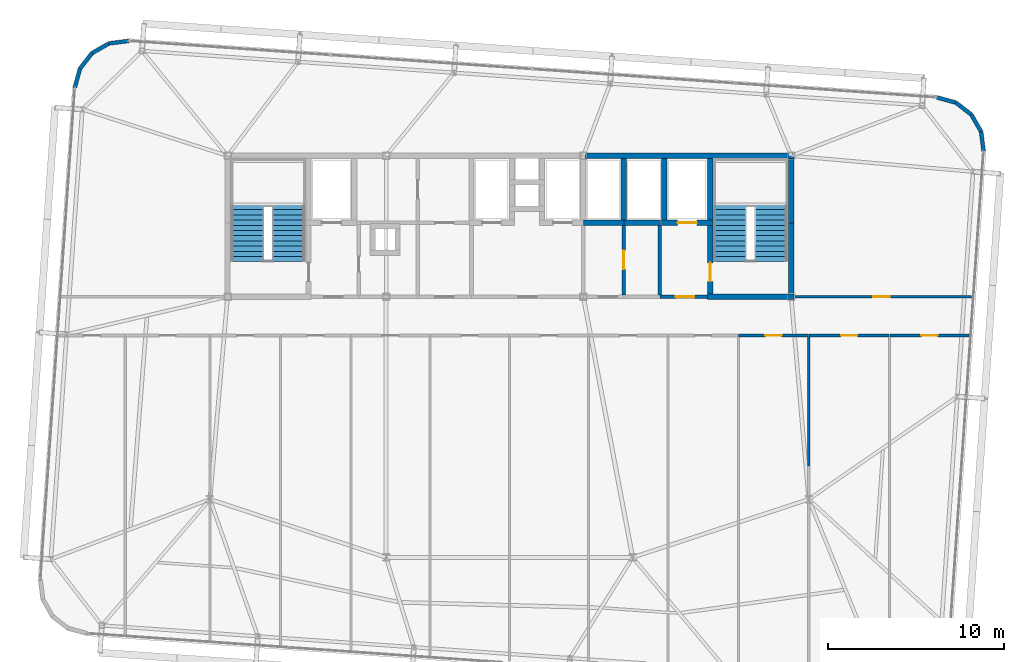
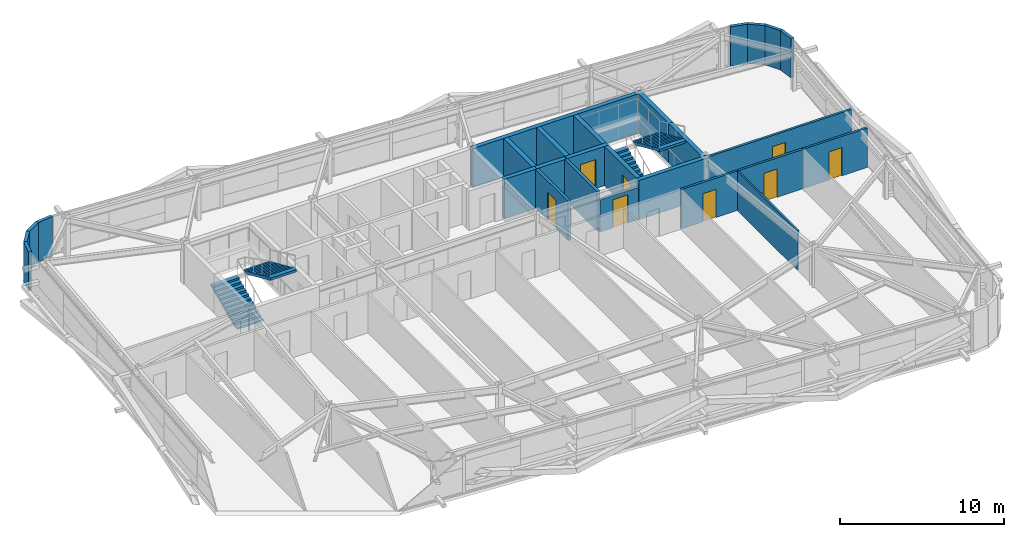
# One storey, part 37 of 39: 27 walls, 8 doors, 4 stair flights, 8 openings, 2 elements without a shape of their own.
"""IFC4 building model written with IfcOpenShell, lengths in metres."""

import ifcopenshell
import ifcopenshell.guid

model = None  # the IFC model being written
_history = None  # IfcOwnerHistory: only IFC2X3 demands one
_inside = {}  # id of a spatial element -> (the spatial element, [elements in it])
_under = {}  # id of a project, library or spatial element -> (it, [spatial elements below it])
_declared = {}  # id of a project -> (the project, [libraries it declares])
_typed = {}  # id of a type object -> (the type object, [elements of that type])
_made_of = {}  # id of a material, layer set ... -> (it, [elements and type objects made of it])


def new_model(schema):
    """Start an empty IFC model of exactly this schema.

    Asked for "IFC4X3", IfcOpenShell would pick the latest addendum, in which some entities
    have other attributes; the version numbers below select the first issue.
    IFC2X3 requires an IfcOwnerHistory on every rooted entity: one is made here for all.
    """
    global model, _history
    if schema == "IFC4X3":
        model = ifcopenshell.file(schema_version=(4, 3, 0, 0))
    else:
        model = ifcopenshell.file(schema=schema)
    _inside.clear()
    _under.clear()
    _declared.clear()
    _typed.clear()
    _made_of.clear()
    _history = None
    if model.schema == "IFC2X3":
        org = make("IfcOrganization", Name="unknown")
        user = make(
            "IfcPersonAndOrganization",
            ThePerson=make("IfcPerson", FamilyName="unknown"),
            TheOrganization=org,
        )
        app = make(
            "IfcApplication",
            ApplicationDeveloper=org,
            Version="unknown",
            ApplicationFullName="unknown",
            ApplicationIdentifier="unknown",
        )
        _history = make(
            "IfcOwnerHistory",
            OwningUser=user,
            OwningApplication=app,
            ChangeAction="ADDED",
            CreationDate=0,
        )
    return model


def make(cls, **values):
    """One entity of the class cls with the attributes given. An attribute that is None is left unset."""
    return model.create_entity(
        cls, **{name: value for name, value in values.items() if value is not None}
    )


def rooted(cls, **values):
    """An entity with a GlobalId (a new one), such as an element, a storey or a relation."""
    return make(cls, GlobalId=ifcopenshell.guid.new(), OwnerHistory=_history, **values)


def si_unit(unit_type, name, prefix=None):
    """IfcSIUnit, for example si_unit("LENGTHUNIT", "METRE", prefix="MILLI")."""
    return make("IfcSIUnit", UnitType=unit_type, Prefix=prefix, Name=name)


def assignment(units):
    """IfcUnitAssignment: the units of a project."""
    return None if units is None else make("IfcUnitAssignment", Units=units)


def point(xyz):
    """IfcCartesianPoint."""
    return None if xyz is None else make("IfcCartesianPoint", Coordinates=xyz)


def direction(xyz):
    """IfcDirection."""
    return None if xyz is None else make("IfcDirection", DirectionRatios=xyz)


def frame(location, z_axis=None, x_axis=None):
    """IfcAxis2Placement3D, a coordinate frame: its origin and axes. An axis left out is left unset."""
    return make(
        "IfcAxis2Placement3D",
        Location=point(location),
        Axis=direction(z_axis),
        RefDirection=direction(x_axis),
    )


def frame_2d(location, x_axis=None):
    """IfcAxis2Placement2D, a coordinate frame in the plane: its origin and x axis."""
    return make(
        "IfcAxis2Placement2D", Location=point(location), RefDirection=direction(x_axis)
    )


def origin():
    """The frame at (0, 0, 0) with its axes left unset."""
    return frame((0.0, 0.0, 0.0))


def place(relative_to, where):
    """IfcLocalPlacement: puts the frame where relative to a parent placement (None: the world)."""
    return make(
        "IfcLocalPlacement", PlacementRelTo=relative_to, RelativePlacement=where
    )


def context(
    kind, dimensions, precision=None, world=None, true_north=None, identifier=None
):
    """IfcGeometricRepresentationContext, for example the 3D "Model" context."""
    return make(
        "IfcGeometricRepresentationContext",
        ContextIdentifier=identifier,
        ContextType=kind,
        CoordinateSpaceDimension=dimensions,
        Precision=precision,
        WorldCoordinateSystem=world,
        TrueNorth=true_north,
    )


def subcontext(parent, identifier, kind, view, scale=None):
    """IfcGeometricRepresentationSubContext, for example "Body" below "Model"."""
    return make(
        "IfcGeometricRepresentationSubContext",
        ContextIdentifier=identifier,
        ContextType=kind,
        ParentContext=parent,
        TargetScale=scale,
        TargetView=view,
    )


def project(units=None, contexts=None):
    """IfcProject with its units and contexts."""
    return rooted(
        "IfcProject",
        Name="project",
        RepresentationContexts=contexts,
        UnitsInContext=assignment(units),
    )


def spatial(cls, under=None, at=None, **own):
    """A site, building, storey or space (cls), placed at a placement, below another one or the project."""
    s = rooted(cls, ObjectPlacement=at, **own)
    if under is not None:
        _under.setdefault(under.id(), (under, []))[1].append(s)
    return s


def polyline(points):
    """IfcPolyline through the points."""
    return make("IfcPolyline", Points=[point(p) for p in points])


def profile(cls, at=None, kind="AREA", **sizes):
    """A parametric profile (cls). Its sizes go by their IFC names, for example OverallWidth=200.0."""
    return make(cls, ProfileType=kind, Position=at, **sizes)


def rectangle(**sizes):
    """IfcRectangleProfileDef."""
    return profile("IfcRectangleProfileDef", **sizes)


def outline(outer, holes=None, kind="AREA"):
    """IfcArbitraryClosedProfileDef: a profile drawn as a closed curve; with holes, ...WithVoids."""
    if holes is None:
        return make("IfcArbitraryClosedProfileDef", ProfileType=kind, OuterCurve=outer)
    return make(
        "IfcArbitraryProfileDefWithVoids",
        ProfileType=kind,
        OuterCurve=outer,
        InnerCurves=holes,
    )


def extrude(swept, where, along, depth):
    """IfcExtrudedAreaSolid: the profile swept, set in the frame where, extruded along a direction by depth."""
    return make(
        "IfcExtrudedAreaSolid",
        SweptArea=swept,
        Position=where,
        ExtrudedDirection=direction(along),
        Depth=depth,
    )


def shape(context_of_items, identifier, shape_type, items):
    """IfcShapeRepresentation: the items that make up one representation, for example the "Body"."""
    return make(
        "IfcShapeRepresentation",
        ContextOfItems=context_of_items,
        RepresentationIdentifier=identifier,
        RepresentationType=shape_type,
        Items=items,
    )


def source(mapping_origin, context_of_items, identifier, shape_type, items):
    """IfcRepresentationMap: a shape defined once, which mapped items show again and again."""
    return make(
        "IfcRepresentationMap",
        MappingOrigin=mapping_origin,
        MappedRepresentation=shape(context_of_items, identifier, shape_type, items),
    )


def transform(
    local_origin,
    x_axis=None,
    y_axis=None,
    z_axis=None,
    scale=None,
    scale2=None,
    scale3=None,
    uniform=True,
):
    """IfcCartesianTransformationOperator3D, or its non-uniform kind. x_axis, y_axis, z_axis: its Axis1, 2, 3."""
    if uniform:
        return make(
            "IfcCartesianTransformationOperator3D",
            Axis1=direction(x_axis),
            Axis2=direction(y_axis),
            LocalOrigin=point(local_origin),
            Scale=scale,
            Axis3=direction(z_axis),
        )
    return make(
        "IfcCartesianTransformationOperator3DnonUniform",
        Axis1=direction(x_axis),
        Axis2=direction(y_axis),
        LocalOrigin=point(local_origin),
        Scale=scale,
        Axis3=direction(z_axis),
        Scale2=scale2,
        Scale3=scale3,
    )


def mapped(mapping_source, mapping_target):
    """IfcMappedItem: shows the shape of a source again, moved by a transform."""
    return make(
        "IfcMappedItem", MappingSource=mapping_source, MappingTarget=mapping_target
    )


def material(Name=None, Category=None):
    """IfcMaterial."""
    return make("IfcMaterial", Name=Name, Category=Category)


def layer(
    of_material, thickness, ventilated=None, Name=None, Category=None, Priority=None
):
    """IfcMaterialLayer: one layer of a wall or slab, of a material (None: an air gap)."""
    return make(
        "IfcMaterialLayer",
        Material=of_material,
        LayerThickness=thickness,
        IsVentilated=ventilated,
        Name=Name,
        Category=Category,
        Priority=Priority,
    )


def layer_set(layers, Name=None):
    """IfcMaterialLayerSet."""
    return make("IfcMaterialLayerSet", MaterialLayers=layers, LayerSetName=Name)


def made_of(thing, what):
    """Note that an element or type object is made of a material, layer set ...; save() writes the relation."""
    if what is not None:
        _made_of.setdefault(what.id(), (what, []))[1].append(thing)
    return thing


def type_object(cls, material=None, **own):
    """A type object (cls), such as IfcWallType, which elements share."""
    return made_of(rooted(cls, **own), material)


def element(
    cls,
    number,
    at=None,
    inside=None,
    cuts=None,
    type_object=None,
    material=None,
    context=None,
    identifier="Body",
    shape_type=None,
    held_by="IfcProductDefinitionShape",
    body=None,
    shapes=None,
    **own,
):
    """One element of the class cls, such as IfcWall. Its Tag is "e" and its number.

    at: its placement. inside: the storey or other place that contains it. cuts: it is an
    opening in that element (IfcRelVoidsElement). A single representation is given by context,
    identifier, shape_type and body (its items); several are given by shapes. held_by: the class
    of the entity that holds the representations. save() writes the other relations.
    """
    e = rooted(cls, Tag="e%d" % number, ObjectPlacement=at, **own)
    if body is not None:
        shapes = [shape(context, identifier, shape_type, body)]
    if shapes is not None:
        e.Representation = make(held_by, Representations=shapes)
    if inside is not None:
        _inside.setdefault(inside.id(), (inside, []))[1].append(e)
    if cuts is not None:
        rooted(
            "IfcRelVoidsElement", RelatingBuildingElement=cuts, RelatedOpeningElement=e
        )
    if type_object is not None:
        _typed.setdefault(type_object.id(), (type_object, []))[1].append(e)
    return made_of(e, material)


def fill(opening, filler):
    """IfcRelFillsElement: the door or window that sits in an opening."""
    return rooted(
        "IfcRelFillsElement",
        RelatingOpeningElement=opening,
        RelatedBuildingElement=filler,
    )


def aggregate(whole, parts):
    """IfcRelAggregates: a whole, such as a stair, and the parts it consists of."""
    return rooted("IfcRelAggregates", RelatingObject=whole, RelatedObjects=parts)


def save(model, path):
    """Write the relations noted so far, then the file.

    IfcRelAggregates (storeys below a building ...), IfcRelContainedInSpatialStructure (elements
    in a storey), IfcRelDefinesByType, IfcRelAssociatesMaterial and IfcRelDeclares: one each for
    every whole, place, type object, material and project.
    """
    for whole, parts in _under.values():
        aggregate(whole, parts)
    for where, things in _inside.values():
        rooted(
            "IfcRelContainedInSpatialStructure",
            RelatedElements=things,
            RelatingStructure=where,
        )
    for kind, things in _typed.values():
        rooted("IfcRelDefinesByType", RelatedObjects=things, RelatingType=kind)
    for what, things in _made_of.values():
        rooted("IfcRelAssociatesMaterial", RelatedObjects=things, RelatingMaterial=what)
    for by, libraries in _declared.values():
        rooted("IfcRelDeclares", RelatingContext=by, RelatedDefinitions=libraries)
    model.write(path)


model = new_model("IFC4")

# Units and contexts
model_context = context("Model", 3, precision=1e-05, world=origin(), true_north=direction((0.0, 1.0)))
body_context = subcontext(model_context, "Body", "Model", "MODEL_VIEW")
ifc_project = project(units=[si_unit("LENGTHUNIT", "METRE"), si_unit("AREAUNIT", "SQUARE_METRE"), si_unit("VOLUMEUNIT", "CUBIC_METRE"), si_unit("PLANEANGLEUNIT", "RADIAN"), si_unit("MASSUNIT", "GRAM", prefix="KILO")], contexts=[model_context])

# Site, building, storey
site_placement = place(None, origin())
site = spatial("IfcSite", under=ifc_project, at=site_placement, CompositionType="ELEMENT")
building_placement = place(site_placement, origin())
building = spatial("IfcBuilding", under=site, at=building_placement, Name="Taldren Reach Tower", CompositionType="ELEMENT")
storey_placement = place(building_placement, frame((0.0, 0.0, 158.199951171875)))
storey = spatial("IfcBuildingStorey", under=building, at=storey_placement, Name="L48", CompositionType="ELEMENT", Elevation=158.199951171875)

# Walls
ifc_material_1 = material(Name="Pale Champagne Anodised Aluminium Cladding", Category="aluminium")
ifc_layer_1 = layer(ifc_material_1, 0.04, Name="Pale Champagne Anodised Aluminium Cladding", Category="aluminium")
ifc_material_2 = material(Name="Mineral Wool Acoustic Insulation", Category="insulation")
ifc_layer_2 = layer(ifc_material_2, 0.06, Name="Mineral Wool Acoustic Insulation", Category="insulation")
ifc_material_3 = material(Name="Steel Gr 350 (C350L0)", Category="steel")
ifc_layer_3 = layer(ifc_material_3, 0.12, Name="Steel Gr 350 (C350L0)", Category="steel")
ifc_layer_set_1 = layer_set([ifc_layer_1, ifc_layer_2, ifc_layer_3], Name="Pale Champagne Aluminium Cladding and Steel Gr 350 Stud Framing")
wall_type_1 = type_object("IfcWallType", Name="EW-CRN-220", PredefinedType="SOLIDWALL", material=ifc_layer_set_1)
shared_shape_1 = source(origin(), body_context, "Body", "SweptSolid", [
    extrude(rectangle(XDim=1.115966796875, YDim=0.219970703125, at=frame_2d((0.55810546875, 0.0))), origin(), (0.0, 0.0, 1.0), 2.929931640625),
])
for number, where, z_axis, x_axis, name in (
    (1, (61.923583984375, 32.261962890625, 0.0), (0.0, 0.0, 1.0), (-0.126242535829, 0.991999406324, 0.0), "Rounded-corner pale-metal facade wall L48-NE1"),
    (2, (61.78271484375, 33.368896484375, 0.0), (0.0, 0.0, 1.0), (-0.496138938357, 0.868243142124, 0.0), "Rounded-corner pale-metal facade wall L48-NE2"),
    (3, (61.22900390625, 34.337890625, 0.0), (0.0, 0.0, 1.0), (-0.790716874741, 0.612182018684, 0.0), "Rounded-corner pale-metal facade wall L48-NE3"),
    (4, (60.3466796875, 35.02099609375, 0.0), (0.0, 0.0, 1.0), (-0.964804199372, 0.262969307856, 0.0), "Rounded-corner pale-metal facade wall L48-NE4"),
    (5, (13.382080078125, 38.5234375, 0.0), (0.0, 0.0, 1.0), (-0.991999406324, -0.126242535829, 0.0), "Rounded-corner pale-metal facade wall L48-NW1"),
    (6, (11.306396484375, 37.828857421875, 0.0), (0.0, 0.0, 1.0), (-0.612318787668, -0.790610967714, 0.0), "Rounded-corner pale-metal facade wall L48-NW3"),
    (7, (10.623046875, 36.946533203125, 0.0), (0.0, 0.0, 1.0), (-0.262969307856, -0.964804199372, 0.0), "Rounded-corner pale-metal facade wall L48-NW4"),
):
    element("IfcWall", number, at=place(storey_placement, frame(where, z_axis=z_axis, x_axis=x_axis)), inside=storey, type_object=wall_type_1, Name=name, PredefinedType="SOLIDWALL", context=body_context, shape_type="MappedRepresentation", body=[
        mapped(shared_shape_1, transform((0.0, 0.0, 0.0), scale=1.0)),
    ])
shared_shape_2 = source(origin(), body_context, "Body", "SweptSolid", [
    extrude(rectangle(XDim=1.11572265625, YDim=0.219970703125, at=frame_2d((0.557861328125, 0.0))), origin(), (0.0, 0.0, 1.0), 2.929931640625),
])
wall_1_placement = place(storey_placement, frame((12.275146484375, 38.382568359375, 0.0), z_axis=(0.0, 0.0, 1.0), x_axis=(-0.868189279113, -0.496233186751, 0.0)))
element("IfcWall", 8, at=wall_1_placement, inside=storey, type_object=wall_type_1, Name="Rounded-corner pale-metal facade wall L48-NW2", PredefinedType="SOLIDWALL", context=body_context, shape_type="MappedRepresentation", body=[
    mapped(shared_shape_2, transform((0.0, 0.0, 0.0), scale=1.0)),
])

# Wall, opening, door
ifc_material_4 = material(Name="Fire-Rated Acoustic Plasterboard Stud Wall", Category="gypsum")
ifc_layer_4 = layer(ifc_material_4, 0.159912109375)
ifc_layer_set_2 = layer_set([ifc_layer_4], Name="Fire-Rated Acoustic Plasterboard Stud Wall")
wall_type_2 = type_object("IfcWallType", Name="IW-FIRE-160", PredefinedType="PARTITIONING", material=ifc_layer_set_2)
shared_shape_3 = source(origin(), body_context, "Body", "SweptSolid", [
    extrude(rectangle(XDim=3.95947265625, YDim=0.159912109375, at=frame_2d((1.979736328125, 0.0))), origin(), (0.0, 0.0, 1.0), 2.929931640625),
])
wall_2_placement = place(storey_placement, frame((51.979736328125, 21.800048828125, 0.0), z_axis=(0.0, 0.0, 1.0), x_axis=(-1.0, 0.0, 0.0)))
wall_2 = element("IfcWall", 9, at=wall_2_placement, inside=storey, type_object=wall_type_2, Name="Interior Partition Wall W-INT-L48-055", PredefinedType="PARTITIONING", context=body_context, shape_type="MappedRepresentation", body=[
    mapped(shared_shape_3, transform((0.0, 0.0, 0.0), scale=1.0)),
])
shared_shape_4 = source(origin(), body_context, "Body", "SweptSolid", [
    extrude(rectangle(XDim=0.919921875, YDim=2.10009765625, at=frame_2d((0.4599609375, 1.050048828125))), frame((0.0, 0.08984375, 0.0), z_axis=(0.0, -1.0, 0.0), x_axis=(1.0, 0.0, 0.0)), (0.0, 0.0, 1.0), 0.179931640625),
])
opening_1_placement = place(wall_2_placement, frame((1.519775390625, 0.0, 0.0)))
opening_1 = element("IfcOpeningElement", 10, at=opening_1_placement, cuts=wall_2, Name="Opening DI-092", PredefinedType="OPENING", context=body_context, shape_type="MappedRepresentation", body=[
    mapped(shared_shape_4, transform((0.0, 0.0, 0.0), scale=1.0)),
])
ifc_material_5 = material(Name="Solid-Core Timber Suite Door", Category="wood")
door_type_1 = type_object("IfcDoorType", Name="ID-INT-092", OperationType="NOTDEFINED", PredefinedType="DOOR", material=ifc_material_5)
shared_shape_5 = source(origin(), body_context, "Body", "SweptSolid", [
    extrude(rectangle(XDim=0.919921875, YDim=2.10009765625, at=frame_2d((0.4599609375, 1.050048828125))), frame((0.0, 0.02490234375, 0.0), z_axis=(0.0, -1.0, 0.0), x_axis=(1.0, 0.0, 0.0)), (0.0, 0.0, 1.0), 0.050048828125),
])
door_1_placement = place(opening_1_placement, origin())
door_1 = element("IfcDoor", 11, at=door_1_placement, inside=storey, type_object=door_type_1, Name="Interior Door DR-L48-020", OperationType="SINGLE_SWING_LEFT", OverallHeight=2.10009765625, OverallWidth=0.919921875, PredefinedType="DOOR", context=body_context, shape_type="MappedRepresentation", body=[
    mapped(shared_shape_5, transform((0.0, 0.0, 0.0), scale=1.0)),
])
fill(opening_1, door_1)

# Walls
ifc_material_6 = material(Name="Concrete S65 (65 MPa)", Category="concrete")
ifc_layer_5 = layer(ifc_material_6, 0.300048828125)
ifc_layer_set_3 = layer_set([ifc_layer_5], Name="Concrete S65 (65 MPa)")
wall_type_3 = type_object("IfcWallType", Name="IW-CORE-300", PredefinedType="SHEAR", material=ifc_layer_set_3)
shared_shape_6 = source(origin(), body_context, "Body", "SweptSolid", [
    extrude(rectangle(XDim=11.949951171875, YDim=0.300048828125, at=frame_2d((5.97509765625, 0.0))), origin(), (0.0, 0.0, 1.0), 2.929931640625),
])
wall_3_placement = place(storey_placement, frame((39.199951171875, 32.0, 0.0), z_axis=(0.0, 0.0, 1.0), x_axis=(1.0, 0.0, 0.0)))
element("IfcWall", 12, at=wall_3_placement, inside=storey, type_object=wall_type_3, Name="Rear Core Shear Wall W-CORE-L48-NORTH3", PredefinedType="SHEAR", context=body_context, shape_type="MappedRepresentation", body=[
    mapped(shared_shape_6, transform((0.0, 0.0, 0.0), scale=1.0)),
])
shared_shape_7 = source(origin(), body_context, "Body", "SweptSolid", [
    extrude(rectangle(XDim=4.050048828125, YDim=0.300048828125, at=frame_2d((2.02490234375, 0.0))), origin(), (0.0, 0.0, 1.0), 2.929931640625),
])
wall_4_placement = place(storey_placement, frame((51.0, 24.14990234375, 0.0), z_axis=(0.0, 0.0, 1.0), x_axis=(0.0, 1.0, 0.0)))
element("IfcWall", 13, at=wall_4_placement, inside=storey, type_object=wall_type_3, Name="Rear Core Shear Wall W-CORE-L48-EAST1", PredefinedType="SHEAR", context=body_context, shape_type="MappedRepresentation", body=[
    mapped(shared_shape_7, transform((0.0, 0.0, 0.0), scale=1.0)),
])
shared_shape_8 = source(origin(), body_context, "Body", "SweptSolid", [
    extrude(rectangle(XDim=3.650146484375, YDim=0.300048828125, at=frame_2d((1.8251953125, 0.0))), origin(), (0.0, 0.0, 1.0), 2.929931640625),
])
wall_5_placement = place(storey_placement, frame((51.0, 28.199951171875, 0.0), z_axis=(0.0, 0.0, 1.0), x_axis=(0.0, 1.0, 0.0)))
element("IfcWall", 14, at=wall_5_placement, inside=storey, type_object=wall_type_3, Name="Rear Core Shear Wall W-CORE-L48-EAST2", PredefinedType="SHEAR", context=body_context, shape_type="MappedRepresentation", body=[
    mapped(shared_shape_8, transform((0.0, 0.0, 0.0), scale=1.0)),
])
shared_shape_9 = source(origin(), body_context, "Body", "SweptSolid", [
    extrude(rectangle(XDim=3.5, YDim=0.300048828125, at=frame_2d((1.75, 0.0))), origin(), (0.0, 0.0, 1.0), 2.929931640625),
])
for number, where, z_axis, x_axis, name in (
    (15, (46.39990234375, 31.85009765625, 0.0), (0.0, 0.0, 1.0), (0.0, -1.0, 0.0), "Rear Core Shear Wall W-INT-L48-008"),
    (16, (43.800048828125, 31.85009765625, 0.0), (0.0, 0.0, 1.0), (0.0, -1.0, 0.0), "Rear Core Shear Wall W-INT-L48-012"),
    (17, (41.5, 28.35009765625, 0.0), (0.0, 0.0, 1.0), (0.0, 1.0, 0.0), "Rear Core Shear Wall W-INT-L48-034"),
):
    element("IfcWall", number, at=place(storey_placement, frame(where, z_axis=z_axis, x_axis=x_axis)), inside=storey, type_object=wall_type_3, Name=name, PredefinedType="SHEAR", context=body_context, shape_type="MappedRepresentation", body=[
        mapped(shared_shape_9, transform((0.0, 0.0, 0.0), scale=1.0)),
    ])

# Wall, opening, door
shared_shape_10 = source(origin(), body_context, "Body", "SweptSolid", [
    extrude(rectangle(XDim=3.900146484375, YDim=0.300048828125, at=frame_2d((1.9501953125, 0.0))), origin(), (0.0, 0.0, 1.0), 2.929931640625),
])
wall_6_placement = place(storey_placement, frame((46.39990234375, 28.050048828125, 0.0), z_axis=(0.0, 0.0, 1.0), x_axis=(0.0, -1.0, 0.0)))
wall_6 = element("IfcWall", 18, at=wall_6_placement, inside=storey, type_object=wall_type_3, Name="Rear Core Shear Wall W-INT-L48-009", PredefinedType="SHEAR", context=body_context, shape_type="MappedRepresentation", body=[
    mapped(shared_shape_10, transform((0.0, 0.0, 0.0), scale=1.0)),
])
shared_shape_11 = source(origin(), body_context, "Body", "SweptSolid", [
    extrude(rectangle(XDim=1.050048828125, YDim=2.10009765625, at=frame_2d((0.52490234375, 1.050048828125))), frame((0.0, 0.16015625, 0.0), z_axis=(0.0, -1.0, 0.0), x_axis=(1.0, 0.0, 0.0)), (0.0, 0.0, 1.0), 0.320068359375),
])
opening_2_placement = place(wall_6_placement, frame((2.125, 0.0, 0.0)))
opening_2 = element("IfcOpeningElement", 19, at=opening_2_placement, cuts=wall_6, Name="Opening DF-105", PredefinedType="OPENING", context=body_context, shape_type="MappedRepresentation", body=[
    mapped(shared_shape_11, transform((0.0, 0.0, 0.0), scale=1.0)),
])
ifc_material_7 = material(Name="Fire-Rated Care and Stair Exit Door")
door_type_2 = type_object("IfcDoorType", Name="ID-FIRE-105", OperationType="NOTDEFINED", PredefinedType="DOOR", material=ifc_material_7)
shared_shape_12 = source(origin(), body_context, "Body", "SweptSolid", [
    extrude(rectangle(XDim=1.050048828125, YDim=2.10009765625, at=frame_2d((0.52490234375, 1.050048828125))), frame((0.0, 0.02490234375, 0.0), z_axis=(0.0, -1.0, 0.0), x_axis=(1.0, 0.0, 0.0)), (0.0, 0.0, 1.0), 0.050048828125),
])
door_2_placement = place(opening_2_placement, origin())
door_2 = element("IfcDoor", 20, at=door_2_placement, inside=storey, type_object=door_type_2, Name="Fire Exit Stair Door DR-L48-003", OperationType="SINGLE_SWING_RIGHT", OverallHeight=2.10009765625, OverallWidth=1.050048828125, PredefinedType="DOOR", context=body_context, shape_type="MappedRepresentation", body=[
    mapped(shared_shape_12, transform((0.0, 0.0, 0.0), scale=1.0)),
])
fill(opening_2, door_2)

# Wall
shared_shape_13 = source(origin(), body_context, "Body", "SweptSolid", [
    extrude(rectangle(XDim=4.89990234375, YDim=0.300048828125, at=frame_2d((2.449951171875, 0.0))), origin(), (0.0, 0.0, 1.0), 2.929931640625),
])
wall_7_placement = place(storey_placement, frame((46.25, 24.0, 0.0), z_axis=(0.0, 0.0, 1.0), x_axis=(1.0, 0.0, 0.0)))
element("IfcWall", 21, at=wall_7_placement, inside=storey, type_object=wall_type_3, Name="Rear Core Shear Wall W-INT-L48-010", PredefinedType="SHEAR", context=body_context, shape_type="MappedRepresentation", body=[
    mapped(shared_shape_13, transform((0.0, 0.0, 0.0), scale=1.0)),
])

# Wall, opening, door
shared_shape_14 = source(origin(), body_context, "Body", "SweptSolid", [
    extrude(rectangle(XDim=2.900146484375, YDim=0.300048828125, at=frame_2d((1.4501953125, 0.0))), origin(), (0.0, 0.0, 1.0), 2.929931640625),
])
wall_8_placement = place(storey_placement, frame((43.64990234375, 28.199951171875, 0.0), z_axis=(0.0, 0.0, 1.0), x_axis=(1.0, 0.0, 0.0)))
wall_8 = element("IfcWall", 22, at=wall_8_placement, inside=storey, type_object=wall_type_3, Name="Rear Core Shear Wall W-INT-L48-011", PredefinedType="SHEAR", context=body_context, shape_type="MappedRepresentation", body=[
    mapped(shared_shape_14, transform((0.0, 0.0, 0.0), scale=1.0)),
])
shared_shape_15 = source(origin(), body_context, "Body", "SweptSolid", [
    extrude(rectangle(XDim=1.10009765625, YDim=2.14990234375, at=frame_2d((0.550048828125, 1.074951171875))), frame((0.0, 0.16015625, 0.0), z_axis=(0.0, -1.0, 0.0), x_axis=(1.0, 0.0, 0.0)), (0.0, 0.0, 1.0), 0.320068359375),
])
opening_3_placement = place(wall_8_placement, frame((0.89990234375, 0.0, 0.0)))
opening_3 = element("IfcOpeningElement", 23, at=opening_3_placement, cuts=wall_8, Name="Opening LD-FL2", PredefinedType="OPENING", context=body_context, shape_type="MappedRepresentation", body=[
    mapped(shared_shape_15, transform((0.0, 0.0, 0.0), scale=1.0)),
])
ifc_material_8 = material(Name="Stainless Steel Gr 316 Emergency Lift Landing Door", Category="steel")
door_type_3 = type_object("IfcDoorType", Name="LD-EMG-110", OperationType="SLIDING_TO_LEFT", PredefinedType="DOOR", material=ifc_material_8)
shared_shape_16 = source(origin(), body_context, "Body", "SweptSolid", [
    extrude(rectangle(XDim=1.10009765625, YDim=2.14990234375, at=frame_2d((0.550048828125, 1.074951171875))), frame((0.0, 0.02490234375, 0.0), z_axis=(0.0, -1.0, 0.0), x_axis=(1.0, 0.0, 0.0)), (0.0, 0.0, 1.0), 0.050048828125),
])
door_3_placement = place(opening_3_placement, origin())
door_3 = element("IfcDoor", 24, at=door_3_placement, inside=storey, type_object=door_type_3, Name="Lift Landing Door LD-FL2-L48", OperationType="SLIDING_TO_LEFT", OverallHeight=2.14990234375, OverallWidth=1.10009765625, PredefinedType="DOOR", context=body_context, shape_type="MappedRepresentation", body=[
    mapped(shared_shape_16, transform((0.0, 0.0, 0.0), scale=1.0)),
])
fill(opening_3, door_3)

# Wall
ifc_material_9 = material(Name="Concrete S50 (50 MPa)", Category="concrete")
ifc_layer_6 = layer(ifc_material_9, 0.199951171875)
ifc_layer_set_4 = layer_set([ifc_layer_6], Name="Concrete S50 (50 MPa)")
wall_type_4 = type_object("IfcWallType", Name="IW-CORE-200", PredefinedType="SOLIDWALL", material=ifc_layer_set_4)
shared_shape_17 = source(origin(), body_context, "Body", "SweptSolid", [
    extrude(rectangle(XDim=3.949951171875, YDim=0.199951171875, at=frame_2d((1.97509765625, 0.0))), origin(), (0.0, 0.0, 1.0), 2.929931640625),
])
wall_9_placement = place(storey_placement, frame((43.550048828125, 28.050048828125, 0.0), z_axis=(0.0, 0.0, 1.0), x_axis=(0.0, -1.0, 0.0)))
element("IfcWall", 25, at=wall_9_placement, inside=storey, type_object=wall_type_4, Name="Rear Core Shear Wall W-INT-L48-013", PredefinedType="SOLIDWALL", context=body_context, shape_type="MappedRepresentation", body=[
    mapped(shared_shape_17, transform((0.0, 0.0, 0.0), scale=1.0)),
])

# Wall, opening, door
wall_10_placement = place(storey_placement, frame((41.5, 28.050048828125, 0.0), z_axis=(0.0, 0.0, 1.0), x_axis=(0.0, -1.0, 0.0)))
wall_10 = element("IfcWall", 26, at=wall_10_placement, inside=storey, type_object=wall_type_4, Name="Rear Core Shear Wall W-INT-L48-043", PredefinedType="SOLIDWALL", context=body_context, shape_type="MappedRepresentation", body=[
    mapped(shared_shape_17, transform((0.0, 0.0, 0.0), scale=1.0)),
])
shared_shape_18 = source(origin(), body_context, "Body", "SweptSolid", [
    extrude(rectangle(XDim=1.050048828125, YDim=2.10009765625, at=frame_2d((0.52490234375, 1.050048828125))), frame((0.0, 0.10986328125, 0.0), z_axis=(0.0, -1.0, 0.0), x_axis=(1.0, 0.0, 0.0)), (0.0, 0.0, 1.0), 0.219970703125),
])
opening_4_placement = place(wall_10_placement, frame((1.425048828125, 0.0, 0.0)))
opening_4 = element("IfcOpeningElement", 27, at=opening_4_placement, cuts=wall_10, Name="Opening DF-105", PredefinedType="OPENING", context=body_context, shape_type="MappedRepresentation", body=[
    mapped(shared_shape_18, transform((0.0, 0.0, 0.0), scale=1.0)),
])
door_4_placement = place(opening_4_placement, frame((1.050048828125, 0.0, 0.0), z_axis=(0.0, 0.0, 1.0), x_axis=(-1.0, 0.0, 0.0)))
door_4 = element("IfcDoor", 28, at=door_4_placement, inside=storey, type_object=door_type_2, Name="Interior Door DR-L48-009", OperationType="SINGLE_SWING_LEFT", OverallHeight=2.10009765625, OverallWidth=1.050048828125, PredefinedType="DOOR", context=body_context, shape_type="MappedRepresentation", body=[
    mapped(shared_shape_12, transform((0.0, 0.0, 0.0), scale=1.0)),
])
fill(opening_4, door_4)

shared_shape_19 = source(origin(), body_context, "Body", "SweptSolid", [
    extrude(rectangle(XDim=2.699951171875, YDim=0.199951171875, at=frame_2d((1.35009765625, 0.0))), origin(), (0.0, 0.0, 1.0), 2.39697265625),
])
wall_11_placement = place(storey_placement, frame((43.550048828125, 24.0, 0.0), z_axis=(0.0, 0.0, 1.0), x_axis=(1.0, 0.0, 0.0)))
wall_11 = element("IfcWall", 29, at=wall_11_placement, inside=storey, type_object=wall_type_4, Name="Rear Core Shear Wall W-INT-L48-014", PredefinedType="SOLIDWALL", context=body_context, shape_type="MappedRepresentation", body=[
    mapped(shared_shape_19, transform((0.0, 0.0, 0.0), scale=1.0)),
])
opening_5_placement = place(wall_11_placement, frame((0.89990234375, 0.0, 0.0)))
opening_5 = element("IfcOpeningElement", 30, at=opening_5_placement, cuts=wall_11, Name="Opening DF-105", PredefinedType="OPENING", context=body_context, shape_type="MappedRepresentation", body=[
    mapped(shared_shape_18, transform((0.0, 0.0, 0.0), scale=1.0)),
])
door_5_placement = place(opening_5_placement, origin())
door_5 = element("IfcDoor", 31, at=door_5_placement, inside=storey, type_object=door_type_2, Name="Interior Door DR-L48-004", OperationType="SINGLE_SWING_LEFT", OverallHeight=2.10009765625, OverallWidth=1.050048828125, PredefinedType="DOOR", context=body_context, shape_type="MappedRepresentation", body=[
    mapped(shared_shape_12, transform((0.0, 0.0, 0.0), scale=1.0)),
])
fill(opening_5, door_5)

# Walls
shared_shape_20 = source(origin(), body_context, "Body", "SweptSolid", [
    extrude(rectangle(XDim=2.070068359375, YDim=0.300048828125, at=frame_2d((1.03515625, 0.0))), origin(), (0.0, 0.0, 1.0), 2.929931640625),
])
wall_12_placement = place(storey_placement, frame((41.5, 28.199951171875, 0.0), z_axis=(0.0, 0.0, 1.0), x_axis=(1.0, 0.0, 0.0)))
element("IfcWall", 32, at=wall_12_placement, inside=storey, type_object=wall_type_3, Name="Rear Core Shear Wall W-INT-L48-036", PredefinedType="SHEAR", context=body_context, shape_type="MappedRepresentation", body=[
    mapped(shared_shape_20, transform((0.0, 0.0, 0.0), scale=1.0)),
])
shared_shape_21 = source(origin(), body_context, "Body", "SweptSolid", [
    extrude(rectangle(XDim=2.300048828125, YDim=0.300048828125, at=frame_2d((1.14990234375, 0.0))), origin(), (0.0, 0.0, 1.0), 2.929931640625),
])
wall_13_placement = place(storey_placement, frame((39.199951171875, 28.199951171875, 0.0), z_axis=(0.0, 0.0, 1.0), x_axis=(1.0, 0.0, 0.0)))
element("IfcWall", 33, at=wall_13_placement, inside=storey, type_object=wall_type_3, Name="Rear Core Shear Wall W-INT-L48-035", PredefinedType="SHEAR", context=body_context, shape_type="MappedRepresentation", body=[
    mapped(shared_shape_21, transform((0.0, 0.0, 0.0), scale=1.0)),
])

# Wall, opening, door
shared_shape_22 = source(origin(), body_context, "Body", "SweptSolid", [
    extrude(rectangle(XDim=10.10009765625, YDim=0.159912109375, at=frame_2d((5.050048828125, 0.0))), origin(), (0.0, 0.0, 1.0), 2.929931640625),
])
wall_14_placement = place(storey_placement, frame((51.14990234375, 24.0, 0.0), z_axis=(0.0, 0.0, 1.0), x_axis=(1.0, 0.0, 0.0)))
wall_14 = element("IfcWall", 34, at=wall_14_placement, inside=storey, type_object=wall_type_2, Name="Interior Partition Wall W-INT-L48-058", PredefinedType="PARTITIONING", context=body_context, shape_type="MappedRepresentation", body=[
    mapped(shared_shape_22, transform((0.0, 0.0, 0.0), scale=1.0)),
])
opening_6_placement = place(wall_14_placement, frame((4.525146484375, 0.0, 0.0)))
opening_6 = element("IfcOpeningElement", 35, at=opening_6_placement, cuts=wall_14, Name="Opening DI-092", PredefinedType="OPENING", context=body_context, shape_type="MappedRepresentation", body=[
    mapped(shared_shape_4, transform((0.0, 0.0, 0.0), scale=1.0)),
])
door_6_placement = place(opening_6_placement, origin())
door_6 = element("IfcDoor", 36, at=door_6_placement, inside=storey, type_object=door_type_1, Name="Interior Door DR-L48-023", OperationType="SINGLE_SWING_RIGHT", OverallHeight=2.10009765625, OverallWidth=0.919921875, PredefinedType="DOOR", context=body_context, shape_type="MappedRepresentation", body=[
    mapped(shared_shape_5, transform((0.0, 0.0, 0.0), scale=1.0)),
])
fill(opening_6, door_6)

shared_shape_23 = source(origin(), body_context, "Body", "SweptSolid", [
    extrude(rectangle(XDim=4.54736328125, YDim=0.159912109375, at=frame_2d((2.273681640625, 0.0))), origin(), (0.0, 0.0, 1.0), 2.929931640625),
])
wall_15_placement = place(storey_placement, frame((56.56787109375, 21.800048828125, 0.0), z_axis=(0.0, 0.0, 1.0), x_axis=(-1.0, 0.0, 0.0)))
wall_15 = element("IfcWall", 37, at=wall_15_placement, inside=storey, type_object=wall_type_2, Name="Interior Partition Wall W-INT-L48-056", PredefinedType="PARTITIONING", context=body_context, shape_type="MappedRepresentation", body=[
    mapped(shared_shape_23, transform((0.0, 0.0, 0.0), scale=1.0)),
])
opening_7_placement = place(wall_15_placement, frame((1.813720703125, 0.0, 0.0)))
opening_7 = element("IfcOpeningElement", 38, at=opening_7_placement, cuts=wall_15, Name="Opening DI-092", PredefinedType="OPENING", context=body_context, shape_type="MappedRepresentation", body=[
    mapped(shared_shape_4, transform((0.0, 0.0, 0.0), scale=1.0)),
])
door_7_placement = place(opening_7_placement, origin())
door_7 = element("IfcDoor", 39, at=door_7_placement, inside=storey, type_object=door_type_1, Name="Interior Door DR-L48-021", OperationType="SINGLE_SWING_RIGHT", OverallHeight=2.10009765625, OverallWidth=0.919921875, PredefinedType="DOOR", context=body_context, shape_type="MappedRepresentation", body=[
    mapped(shared_shape_5, transform((0.0, 0.0, 0.0), scale=1.0)),
])
fill(opening_7, door_7)

shared_shape_24 = source(origin(), body_context, "Body", "SweptSolid", [
    extrude(rectangle(XDim=4.4990234375, YDim=0.159912109375, at=frame_2d((2.24951171875, 0.0))), origin(), (0.0, 0.0, 1.0), 2.929931640625),
])
wall_16_placement = place(storey_placement, frame((61.107421875, 21.800048828125, 0.0), z_axis=(0.0, 0.0, 1.0), x_axis=(-1.0, 0.0, 0.0)))
wall_16 = element("IfcWall", 40, at=wall_16_placement, inside=storey, type_object=wall_type_2, Name="Interior Partition Wall W-INT-L48-057", PredefinedType="PARTITIONING", context=body_context, shape_type="MappedRepresentation", body=[
    mapped(shared_shape_24, transform((0.0, 0.0, 0.0), scale=1.0)),
])
opening_8_placement = place(wall_16_placement, frame((1.78955078125, 0.0, 0.0)))
opening_8 = element("IfcOpeningElement", 41, at=opening_8_placement, cuts=wall_16, Name="Opening DI-092", PredefinedType="OPENING", context=body_context, shape_type="MappedRepresentation", body=[
    mapped(shared_shape_4, transform((0.0, 0.0, 0.0), scale=1.0)),
])
door_8_placement = place(opening_8_placement, origin())
door_8 = element("IfcDoor", 42, at=door_8_placement, inside=storey, type_object=door_type_1, Name="Interior Door DR-L48-022", OperationType="SINGLE_SWING_LEFT", OverallHeight=2.10009765625, OverallWidth=0.919921875, PredefinedType="DOOR", context=body_context, shape_type="MappedRepresentation", body=[
    mapped(shared_shape_5, transform((0.0, 0.0, 0.0), scale=1.0)),
])
fill(opening_8, door_8)

# Wall
ifc_material_10 = material(Name="Insulated Residential Stud Partition", Category="gypsum")
ifc_layer_7 = layer(ifc_material_10, 0.1201171875)
ifc_layer_set_5 = layer_set([ifc_layer_7], Name="Insulated Residential Stud Partition")
wall_type_5 = type_object("IfcWallType", Name="IW-PART-120", PredefinedType="PARTITIONING", material=ifc_layer_set_5)
shared_shape_25 = source(origin(), body_context, "Body", "SweptSolid", [
    extrude(rectangle(XDim=7.32177734375, YDim=0.1201171875, at=frame_2d((3.660888671875, 0.0))), origin(), (0.0, 0.0, 1.0), 2.929931640625),
])
wall_17_placement = place(storey_placement, frame((52.0, 21.718017578125, 0.0), z_axis=(0.0, 0.0, 1.0), x_axis=(0.0, -1.0, 0.0)))
element("IfcWall", 43, at=wall_17_placement, inside=storey, type_object=wall_type_5, Name="Interior Partition Wall W-INT-L48-069", PredefinedType="PARTITIONING", context=body_context, shape_type="MappedRepresentation", body=[
    mapped(shared_shape_25, transform((0.0, 0.0, 0.0), scale=1.0)),
])

# Stair, stair flights
stair_type = type_object("IfcStairType", Name="ST-HT-315", PredefinedType="HALF_TURN_STAIR", material=ifc_material_9)
stair_1_placement = place(storey_placement, origin())
stair_1 = element("IfcStair", 44, at=stair_1_placement, inside=storey, type_object=stair_type, Name="Fire-isolated exit stair ST1 L48", PredefinedType="HALF_TURN_STAIR")
stair_flight_type = type_object("IfcStairFlightType", Name="SF-STR-315", PredefinedType="STRAIGHT", material=ifc_material_9)
stair_flight_1_placement = place(storey_placement, frame((20.139892578125, 25.989990234375, 0.0), z_axis=(0.0, 0.0, 1.0), x_axis=(0.0, 1.0, 0.0)))
stair_flight_1 = element("IfcStairFlight", 45, at=stair_flight_1_placement, type_object=stair_flight_type, Name="ST1 flight 1", NumberOfRisers=12, NumberOfTreads=11, PredefinedType="STRAIGHT", RiserHeight=0.13125, TreadLength=0.295, context=body_context, shape_type="SweptSolid", body=[
    extrude(outline(polyline([(0.0, 0.0), (0.0, 0.13134765625), (0.294921875, 0.13134765625), (0.294921875, 0.262451171875), (0.590087890625, 0.262451171875), (0.590087890625, 0.393798828125), (0.885009765625, 0.393798828125), (0.885009765625, 0.52490234375), (1.179931640625, 0.52490234375), (1.179931640625, 0.65625), (1.47509765625, 0.65625), (1.47509765625, 0.78759765625), (1.77001953125, 0.78759765625), (1.77001953125, 0.918701171875), (2.06494140625, 0.918701171875), (2.06494140625, 1.050048828125), (2.360107421875, 1.050048828125), (2.360107421875, 1.18115234375), (2.655029296875, 1.18115234375), (2.655029296875, 1.3125), (2.949951171875, 1.3125), (2.949951171875, 1.44384765625), (3.2451171875, 1.44384765625), (3.2451171875, 1.574951171875), (3.2451171875, 1.268798828125), (0.393310546875, 0.0), (0.0, 0.0)])), frame((0.0, 0.919921875, 0.0), z_axis=(0.0, -1.0, 0.0), x_axis=(1.0, 0.0, 0.0)), (0.0, 0.0, 1.0), 1.840087890625),
])
stair_flight_2_placement = place(storey_placement, frame((22.4599609375, 29.235107421875, 1.574951171875), z_axis=(0.0, 0.0, 1.0), x_axis=(0.0, -1.0, 0.0)))
stair_flight_2 = element("IfcStairFlight", 46, at=stair_flight_2_placement, type_object=stair_flight_type, Name="ST1 flight 2", NumberOfRisers=12, NumberOfTreads=11, PredefinedType="STRAIGHT", RiserHeight=0.13125, TreadLength=0.295, context=body_context, shape_type="SweptSolid", body=[
    extrude(outline(polyline([(0.0, 0.0), (0.0, 0.13134765625), (0.294921875, 0.13134765625), (0.294921875, 0.262451171875), (0.590087890625, 0.262451171875), (0.590087890625, 0.393798828125), (0.885009765625, 0.393798828125), (0.885009765625, 0.52490234375), (1.179931640625, 0.52490234375), (1.179931640625, 0.65625), (1.47509765625, 0.65625), (1.47509765625, 0.78759765625), (1.77001953125, 0.78759765625), (1.77001953125, 0.918701171875), (2.06494140625, 0.918701171875), (2.06494140625, 1.050048828125), (2.360107421875, 1.050048828125), (2.360107421875, 1.18115234375), (2.655029296875, 1.18115234375), (2.655029296875, 1.3125), (2.949951171875, 1.3125), (2.949951171875, 1.44384765625), (3.2451171875, 1.44384765625), (3.2451171875, 1.574951171875), (3.2451171875, 1.268798828125), (0.393310546875, 0.0), (0.0, 0.0)])), frame((0.0, 0.919921875, 0.0), z_axis=(0.0, -1.0, 0.0), x_axis=(1.0, 0.0, 0.0)), (0.0, 0.0, 1.0), 1.840087890625),
])
aggregate(stair_1, [stair_flight_1, stair_flight_2])

stair_2_placement = place(storey_placement, origin())
stair_2 = element("IfcStair", 47, at=stair_2_placement, inside=storey, type_object=stair_type, Name="Fire-isolated exit stair ST2 L48", PredefinedType="HALF_TURN_STAIR")
stair_flight_3_placement = place(storey_placement, frame((47.5400390625, 25.989990234375, 0.0), z_axis=(0.0, 0.0, 1.0), x_axis=(0.0, 1.0, 0.0)))
stair_flight_3 = element("IfcStairFlight", 48, at=stair_flight_3_placement, type_object=stair_flight_type, Name="ST2 flight 1", NumberOfRisers=12, NumberOfTreads=11, PredefinedType="STRAIGHT", RiserHeight=0.13125, TreadLength=0.295, context=body_context, shape_type="SweptSolid", body=[
    extrude(outline(polyline([(0.0, 0.0), (0.0, 0.13134765625), (0.294921875, 0.13134765625), (0.294921875, 0.262451171875), (0.590087890625, 0.262451171875), (0.590087890625, 0.393798828125), (0.885009765625, 0.393798828125), (0.885009765625, 0.52490234375), (1.179931640625, 0.52490234375), (1.179931640625, 0.65625), (1.47509765625, 0.65625), (1.47509765625, 0.78759765625), (1.77001953125, 0.78759765625), (1.77001953125, 0.918701171875), (2.06494140625, 0.918701171875), (2.06494140625, 1.050048828125), (2.360107421875, 1.050048828125), (2.360107421875, 1.18115234375), (2.655029296875, 1.18115234375), (2.655029296875, 1.3125), (2.949951171875, 1.3125), (2.949951171875, 1.44384765625), (3.2451171875, 1.44384765625), (3.2451171875, 1.574951171875), (3.2451171875, 1.268798828125), (0.393310546875, 0.0), (0.0, 0.0)])), frame((0.0, 0.919921875, 0.0), z_axis=(0.0, -1.0, 0.0), x_axis=(1.0, 0.0, 0.0)), (0.0, 0.0, 1.0), 1.840087890625),
])
stair_flight_4_placement = place(storey_placement, frame((49.860107421875, 29.235107421875, 1.574951171875), z_axis=(0.0, 0.0, 1.0), x_axis=(0.0, -1.0, 0.0)))
stair_flight_4 = element("IfcStairFlight", 49, at=stair_flight_4_placement, type_object=stair_flight_type, Name="ST2 flight 2", NumberOfRisers=12, NumberOfTreads=11, PredefinedType="STRAIGHT", RiserHeight=0.13125, TreadLength=0.295, context=body_context, shape_type="SweptSolid", body=[
    extrude(outline(polyline([(0.0, 0.0), (0.0, 0.13134765625), (0.294921875, 0.13134765625), (0.294921875, 0.262451171875), (0.590087890625, 0.262451171875), (0.590087890625, 0.393798828125), (0.885009765625, 0.393798828125), (0.885009765625, 0.52490234375), (1.179931640625, 0.52490234375), (1.179931640625, 0.65625), (1.47509765625, 0.65625), (1.47509765625, 0.78759765625), (1.77001953125, 0.78759765625), (1.77001953125, 0.918701171875), (2.06494140625, 0.918701171875), (2.06494140625, 1.050048828125), (2.360107421875, 1.050048828125), (2.360107421875, 1.18115234375), (2.655029296875, 1.18115234375), (2.655029296875, 1.3125), (2.949951171875, 1.3125), (2.949951171875, 1.44384765625), (3.2451171875, 1.44384765625), (3.2451171875, 1.574951171875), (3.2451171875, 1.268798828125), (0.393310546875, 0.0), (0.0, 0.0)])), frame((0.0, 0.919921875, 0.0), z_axis=(0.0, -1.0, 0.0), x_axis=(1.0, 0.0, 0.0)), (0.0, 0.0, 1.0), 1.840087890625),
])
aggregate(stair_2, [stair_flight_3, stair_flight_4])

save(model, "model.ifc")
